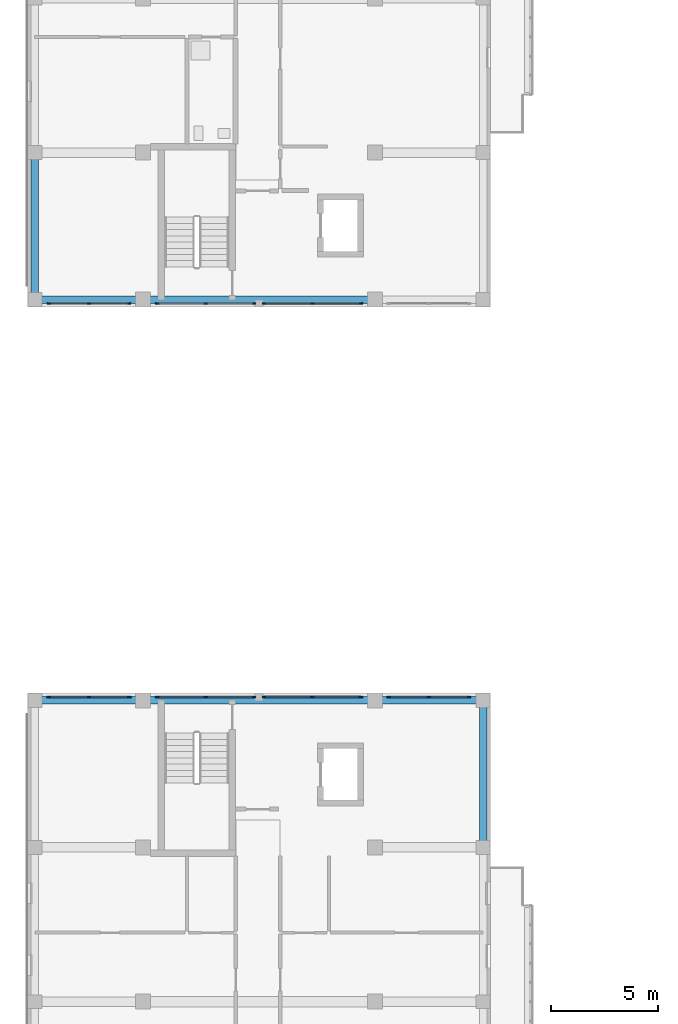
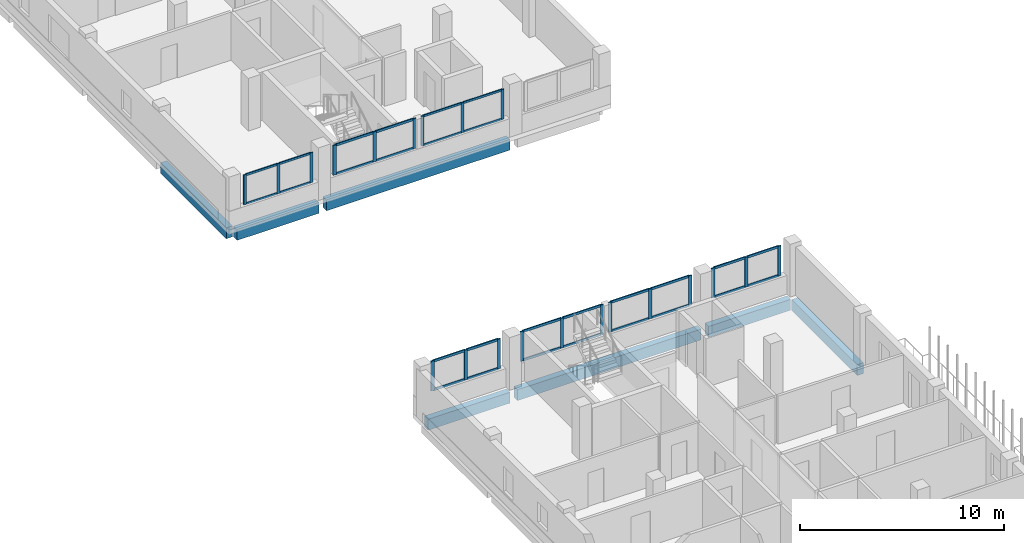
# One storey, part 7 of 51: 49 members, 7 beams, 7 elements without a shape of their own.
"""IFC4 building model written with IfcOpenShell, lengths in metres."""

from ifc_helpers import new_model, si_unit, derived_unit, direction, frame, origin, origin_2d, place, context, subcontext, project, spatial, rectangle, extrude, material, layer, layer_set, material_profile, profile_set, type_object, element, aggregate, save


model = new_model("IFC4")

# Units and contexts
model_context = context("Model", 3, precision=1e-05, world=origin(), true_north=direction((0.0, 1.0)))
body_context = subcontext(model_context, "Body", "Model", "MODEL_VIEW")
ifc_project = project(units=[si_unit("LENGTHUNIT", "METRE"), si_unit("AREAUNIT", "SQUARE_METRE"), si_unit("VOLUMEUNIT", "CUBIC_METRE"), si_unit("PLANEANGLEUNIT", "RADIAN"), si_unit("MASSUNIT", "GRAM", prefix="KILO"), derived_unit("THERMALTRANSMITTANCEUNIT", [(si_unit("MASSUNIT", "GRAM", prefix="KILO"), 1), (si_unit("TIMEUNIT", "SECOND"), -3), (si_unit("THERMODYNAMICTEMPERATUREUNIT", "KELVIN"), -1)])], contexts=[model_context])

# Site, building, storey
site_placement = place(None, origin())
site = spatial("IfcSite", under=ifc_project, at=site_placement, CompositionType="ELEMENT")
building_placement = place(site_placement, origin())
building = spatial("IfcBuilding", under=site, at=building_placement, Name="Ochrekiln Boulevard Commons", CompositionType="ELEMENT")
storey_placement = place(building_placement, frame((0.0, 0.0, 18.375)))
storey = spatial("IfcBuildingStorey", under=building, at=storey_placement, Name="L05", CompositionType="ELEMENT", Elevation=18.375)

# Curtain wall, members
ifc_material_1 = material(Name="Bronze-anodized extruded aluminium 6063-T6", Category="aluminium")
ifc_layer = layer(ifc_material_1, 0.172119140625)
ifc_layer_set = layer_set([ifc_layer], Name="Bronze-anodized extruded aluminium 6063-T6")
curtain_wall_type = type_object("IfcCurtainWallType", Name="CW-GABLE-A", PredefinedType="USERDEFINED", material=ifc_layer_set)
curtain_wall_1_placement = place(storey_placement, origin())
curtain_wall_1 = element("IfcCurtainWall", 1, at=curtain_wall_1_placement, inside=storey, type_object=curtain_wall_type, Name="Block A L05 Courtyard Glazed Gable Curtain Wall 1", ObjectType="GLAZED CURTAIN WALL", PredefinedType="USERDEFINED")
ifc_material_profile_1 = material_profile(ifc_material_1, rectangle(XDim=0.06005859375, YDim=0.159912109375, at=origin_2d()), Name="ALU-MUL-60x160")
ifc_profile_set_1 = profile_set([ifc_material_profile_1], Name="Bronze-anodized extruded aluminium 6063-T6")
member_type_1 = type_object("IfcMemberType", Name="CWM-60x160", PredefinedType="MULLION", material=ifc_profile_set_1)
member_1_placement = place(storey_placement, frame((1.0, 68.56005859375, 1.110107421875), z_axis=(0.0, 0.0, 1.0), x_axis=(0.0, 1.0, 0.0)))
member_1 = element("IfcMember", 2, at=member_1_placement, type_object=member_type_1, Name="CW-01 mullion 1", PredefinedType="MULLION", context=body_context, shape_type="SweptSolid", body=[
    extrude(rectangle(XDim=0.06005859375, YDim=0.159912109375, at=origin_2d()), origin(), (0.0, 0.0, 1.0), 1.77978515625),
])
member_2_placement = place(storey_placement, frame((2.875, 68.56005859375, 1.110107421875), z_axis=(0.0, 0.0, 1.0), x_axis=(0.0, 1.0, 0.0)))
member_2 = element("IfcMember", 3, at=member_2_placement, type_object=member_type_1, Name="CW-01 mullion 2", PredefinedType="MULLION", context=body_context, shape_type="SweptSolid", body=[
    extrude(rectangle(XDim=0.06005859375, YDim=0.159912109375, at=origin_2d()), origin(), (0.0, 0.0, 1.0), 1.77978515625),
])
member_3_placement = place(storey_placement, frame((4.75, 68.56005859375, 1.110107421875), z_axis=(0.0, 0.0, 1.0), x_axis=(0.0, 1.0, 0.0)))
member_3 = element("IfcMember", 4, at=member_3_placement, type_object=member_type_1, Name="CW-01 mullion 3", PredefinedType="MULLION", context=body_context, shape_type="SweptSolid", body=[
    extrude(rectangle(XDim=0.06005859375, YDim=0.159912109375, at=origin_2d()), origin(), (0.0, 0.0, 1.0), 1.77978515625),
])

curtain_wall_2_placement = place(storey_placement, origin())
curtain_wall_2 = element("IfcCurtainWall", 5, at=curtain_wall_2_placement, inside=storey, type_object=curtain_wall_type, Name="Block A L05 Courtyard Glazed Gable Curtain Wall 3", ObjectType="GLAZED CURTAIN WALL", PredefinedType="USERDEFINED")
member_4_placement = place(storey_placement, frame((11.030029296875, 68.56005859375, 1.110107421875), z_axis=(0.0, 0.0, 1.0), x_axis=(0.0, 1.0, 0.0)))
member_4 = element("IfcMember", 6, at=member_4_placement, type_object=member_type_1, Name="CW-01 mullion 1", PredefinedType="MULLION", context=body_context, shape_type="SweptSolid", body=[
    extrude(rectangle(XDim=0.06005859375, YDim=0.159912109375, at=origin_2d()), origin(), (0.0, 0.0, 1.0), 1.77978515625),
])
member_5_placement = place(storey_placement, frame((13.2900390625, 68.56005859375, 1.110107421875), z_axis=(0.0, 0.0, 1.0), x_axis=(0.0, 1.0, 0.0)))
member_5 = element("IfcMember", 7, at=member_5_placement, type_object=member_type_1, Name="CW-01 mullion 2", PredefinedType="MULLION", context=body_context, shape_type="SweptSolid", body=[
    extrude(rectangle(XDim=0.06005859375, YDim=0.159912109375, at=origin_2d()), origin(), (0.0, 0.0, 1.0), 1.77978515625),
])
member_6_placement = place(storey_placement, frame((15.550048828125, 68.56005859375, 1.110107421875), z_axis=(0.0, 0.0, 1.0), x_axis=(0.0, 1.0, 0.0)))
member_6 = element("IfcMember", 8, at=member_6_placement, type_object=member_type_1, Name="CW-01 mullion 3", PredefinedType="MULLION", context=body_context, shape_type="SweptSolid", body=[
    extrude(rectangle(XDim=0.06005859375, YDim=0.159912109375, at=origin_2d()), origin(), (0.0, 0.0, 1.0), 1.77978515625),
])

curtain_wall_3_placement = place(storey_placement, origin())
curtain_wall_3 = element("IfcCurtainWall", 9, at=curtain_wall_3_placement, inside=storey, type_object=curtain_wall_type, Name="Block A L05 Courtyard Glazed Gable Curtain Wall 2", ObjectType="GLAZED CURTAIN WALL", PredefinedType="USERDEFINED")
ifc_material_profile_2 = material_profile(ifc_material_1, rectangle(XDim=0.06494140625, YDim=0.179931640625, at=origin_2d()), Name="ALU-MUL-65x180")
ifc_profile_set_2 = profile_set([ifc_material_profile_2], Name="Bronze-anodized extruded aluminium 6063-T6")
member_type_2 = type_object("IfcMemberType", Name="CWM-65x180", PredefinedType="MULLION", material=ifc_profile_set_2)
member_7_placement = place(storey_placement, frame((6.052490234375, 68.56005859375, 1.110107421875), z_axis=(0.0, 0.0, 1.0), x_axis=(0.0, 1.0, 0.0)))
member_7 = element("IfcMember", 10, at=member_7_placement, type_object=member_type_2, Name="CW-01 mullion 1", PredefinedType="MULLION", context=body_context, shape_type="SweptSolid", body=[
    extrude(rectangle(XDim=0.06494140625, YDim=0.179931640625, at=origin_2d()), origin(), (0.0, 0.0, 1.0), 1.77978515625),
])
member_8_placement = place(storey_placement, frame((8.31005859375, 68.56005859375, 1.110107421875), z_axis=(0.0, 0.0, 1.0), x_axis=(0.0, 1.0, 0.0)))
member_8 = element("IfcMember", 11, at=member_8_placement, type_object=member_type_2, Name="CW-01 mullion 2", PredefinedType="MULLION", context=body_context, shape_type="SweptSolid", body=[
    extrude(rectangle(XDim=0.06494140625, YDim=0.179931640625, at=origin_2d()), origin(), (0.0, 0.0, 1.0), 1.77978515625),
])
member_9_placement = place(storey_placement, frame((10.5673828125, 68.56005859375, 1.110107421875), z_axis=(0.0, 0.0, 1.0), x_axis=(0.0, 1.0, 0.0)))
member_9 = element("IfcMember", 12, at=member_9_placement, type_object=member_type_2, Name="CW-01 mullion 3", PredefinedType="MULLION", context=body_context, shape_type="SweptSolid", body=[
    extrude(rectangle(XDim=0.06494140625, YDim=0.179931640625, at=origin_2d()), origin(), (0.0, 0.0, 1.0), 1.77978515625),
])

curtain_wall_4_placement = place(storey_placement, origin())
curtain_wall_4 = element("IfcCurtainWall", 13, at=curtain_wall_4_placement, inside=storey, type_object=curtain_wall_type, Name="Block D L05 Courtyard Glazed Gable Curtain Wall 1", ObjectType="GLAZED CURTAIN WALL", PredefinedType="USERDEFINED")
member_10_placement = place(storey_placement, frame((1.00244140625, 50.217529296875, 1.110107421875), z_axis=(0.0, 0.0, 1.0), x_axis=(0.0, 1.0, 0.0)))
member_10 = element("IfcMember", 14, at=member_10_placement, type_object=member_type_2, Name="CW-01 mullion 1", PredefinedType="MULLION", context=body_context, shape_type="SweptSolid", body=[
    extrude(rectangle(XDim=0.06494140625, YDim=0.179931640625, at=origin_2d()), origin(), (0.0, 0.0, 1.0), 1.77978515625),
])
member_11_placement = place(storey_placement, frame((2.875, 50.217529296875, 1.110107421875), z_axis=(0.0, 0.0, 1.0), x_axis=(0.0, 1.0, 0.0)))
member_11 = element("IfcMember", 15, at=member_11_placement, type_object=member_type_2, Name="CW-01 mullion 2", PredefinedType="MULLION", context=body_context, shape_type="SweptSolid", body=[
    extrude(rectangle(XDim=0.06494140625, YDim=0.179931640625, at=origin_2d()), origin(), (0.0, 0.0, 1.0), 1.77978515625),
])
member_12_placement = place(storey_placement, frame((4.74755859375, 50.217529296875, 1.110107421875), z_axis=(0.0, 0.0, 1.0), x_axis=(0.0, 1.0, 0.0)))
member_12 = element("IfcMember", 16, at=member_12_placement, type_object=member_type_2, Name="CW-01 mullion 3", PredefinedType="MULLION", context=body_context, shape_type="SweptSolid", body=[
    extrude(rectangle(XDim=0.06494140625, YDim=0.179931640625, at=origin_2d()), origin(), (0.0, 0.0, 1.0), 1.77978515625),
])

curtain_wall_5_placement = place(storey_placement, origin())
curtain_wall_5 = element("IfcCurtainWall", 17, at=curtain_wall_5_placement, inside=storey, type_object=curtain_wall_type, Name="Block D L05 Courtyard Glazed Gable Curtain Wall 2", ObjectType="GLAZED CURTAIN WALL", PredefinedType="USERDEFINED")
member_13_placement = place(storey_placement, frame((6.052490234375, 50.217529296875, 1.110107421875), z_axis=(0.0, 0.0, 1.0), x_axis=(0.0, 1.0, 0.0)))
member_13 = element("IfcMember", 18, at=member_13_placement, type_object=member_type_2, Name="CW-01 mullion 1", PredefinedType="MULLION", context=body_context, shape_type="SweptSolid", body=[
    extrude(rectangle(XDim=0.06494140625, YDim=0.179931640625, at=origin_2d()), origin(), (0.0, 0.0, 1.0), 1.77978515625),
])
member_14_placement = place(storey_placement, frame((8.31005859375, 50.217529296875, 1.110107421875), z_axis=(0.0, 0.0, 1.0), x_axis=(0.0, 1.0, 0.0)))
member_14 = element("IfcMember", 19, at=member_14_placement, type_object=member_type_2, Name="CW-01 mullion 2", PredefinedType="MULLION", context=body_context, shape_type="SweptSolid", body=[
    extrude(rectangle(XDim=0.06494140625, YDim=0.179931640625, at=origin_2d()), origin(), (0.0, 0.0, 1.0), 1.77978515625),
])
member_15_placement = place(storey_placement, frame((10.5673828125, 50.217529296875, 1.110107421875), z_axis=(0.0, 0.0, 1.0), x_axis=(0.0, 1.0, 0.0)))
member_15 = element("IfcMember", 20, at=member_15_placement, type_object=member_type_2, Name="CW-01 mullion 3", PredefinedType="MULLION", context=body_context, shape_type="SweptSolid", body=[
    extrude(rectangle(XDim=0.06494140625, YDim=0.179931640625, at=origin_2d()), origin(), (0.0, 0.0, 1.0), 1.77978515625),
])

curtain_wall_6_placement = place(storey_placement, origin())
curtain_wall_6 = element("IfcCurtainWall", 21, at=curtain_wall_6_placement, inside=storey, type_object=curtain_wall_type, Name="Block D L05 Courtyard Glazed Gable Curtain Wall 3", ObjectType="GLAZED CURTAIN WALL", PredefinedType="USERDEFINED")
member_16_placement = place(storey_placement, frame((11.032470703125, 50.217529296875, 1.110107421875), z_axis=(0.0, 0.0, 1.0), x_axis=(0.0, 1.0, 0.0)))
member_16 = element("IfcMember", 22, at=member_16_placement, type_object=member_type_2, Name="CW-01 mullion 1", PredefinedType="MULLION", context=body_context, shape_type="SweptSolid", body=[
    extrude(rectangle(XDim=0.06494140625, YDim=0.179931640625, at=origin_2d()), origin(), (0.0, 0.0, 1.0), 1.77978515625),
])
member_17_placement = place(storey_placement, frame((13.2900390625, 50.217529296875, 1.110107421875), z_axis=(0.0, 0.0, 1.0), x_axis=(0.0, 1.0, 0.0)))
member_17 = element("IfcMember", 23, at=member_17_placement, type_object=member_type_2, Name="CW-01 mullion 2", PredefinedType="MULLION", context=body_context, shape_type="SweptSolid", body=[
    extrude(rectangle(XDim=0.06494140625, YDim=0.179931640625, at=origin_2d()), origin(), (0.0, 0.0, 1.0), 1.77978515625),
])
member_18_placement = place(storey_placement, frame((15.547607421875, 50.217529296875, 1.110107421875), z_axis=(0.0, 0.0, 1.0), x_axis=(0.0, 1.0, 0.0)))
member_18 = element("IfcMember", 24, at=member_18_placement, type_object=member_type_2, Name="CW-01 mullion 3", PredefinedType="MULLION", context=body_context, shape_type="SweptSolid", body=[
    extrude(rectangle(XDim=0.06494140625, YDim=0.179931640625, at=origin_2d()), origin(), (0.0, 0.0, 1.0), 1.77978515625),
])

curtain_wall_7_placement = place(storey_placement, origin())
curtain_wall_7 = element("IfcCurtainWall", 25, at=curtain_wall_7_placement, inside=storey, type_object=curtain_wall_type, Name="Block D L05 Courtyard Glazed Gable Curtain Wall 4", ObjectType="GLAZED CURTAIN WALL", PredefinedType="USERDEFINED")
member_19_placement = place(storey_placement, frame((16.8525390625, 50.217529296875, 1.110107421875), z_axis=(0.0, 0.0, 1.0), x_axis=(0.0, 1.0, 0.0)))
member_19 = element("IfcMember", 26, at=member_19_placement, type_object=member_type_2, Name="CW-01 mullion 1", PredefinedType="MULLION", context=body_context, shape_type="SweptSolid", body=[
    extrude(rectangle(XDim=0.06494140625, YDim=0.179931640625, at=origin_2d()), origin(), (0.0, 0.0, 1.0), 1.77978515625),
])
member_20_placement = place(storey_placement, frame((18.72509765625, 50.217529296875, 1.110107421875), z_axis=(0.0, 0.0, 1.0), x_axis=(0.0, 1.0, 0.0)))
member_20 = element("IfcMember", 27, at=member_20_placement, type_object=member_type_2, Name="CW-01 mullion 2", PredefinedType="MULLION", context=body_context, shape_type="SweptSolid", body=[
    extrude(rectangle(XDim=0.06494140625, YDim=0.179931640625, at=origin_2d()), origin(), (0.0, 0.0, 1.0), 1.77978515625),
])
member_21_placement = place(storey_placement, frame((20.597412109375, 50.217529296875, 1.110107421875), z_axis=(0.0, 0.0, 1.0), x_axis=(0.0, 1.0, 0.0)))
member_21 = element("IfcMember", 28, at=member_21_placement, type_object=member_type_2, Name="CW-01 mullion 3", PredefinedType="MULLION", context=body_context, shape_type="SweptSolid", body=[
    extrude(rectangle(XDim=0.06494140625, YDim=0.179931640625, at=origin_2d()), origin(), (0.0, 0.0, 1.0), 1.77978515625),
])

# Member
ifc_material_profile_3 = material_profile(ifc_material_1, rectangle(XDim=0.06005859375, YDim=0.1201171875, at=origin_2d()), Name="ALU-TRN-60x120")
ifc_profile_set_3 = profile_set([ifc_material_profile_3], Name="Bronze-anodized extruded aluminium 6063-T6")
member_type_3 = type_object("IfcMemberType", Name="CWT-60x120", PredefinedType="USERDEFINED", material=ifc_profile_set_3)
member_22_placement = place(storey_placement, frame((1.030029296875, 68.56005859375, 1.139892578125), z_axis=(1.0, 0.0, 0.0), x_axis=(0.0, 1.0, 0.0)))
member_22 = element("IfcMember", 29, at=member_22_placement, type_object=member_type_3, Name="CW-01 transom 1.1", ObjectType="TRANSOM", PredefinedType="USERDEFINED", context=body_context, shape_type="SweptSolid", body=[
    extrude(rectangle(XDim=0.06005859375, YDim=0.1201171875, at=origin_2d()), origin(), (0.0, 0.0, 1.0), 1.81494140625),
])

member_23_placement = place(storey_placement, frame((1.030029296875, 68.56005859375, 2.860107421875), z_axis=(1.0, 0.0, 0.0), x_axis=(0.0, 1.0, 0.0)))
member_23 = element("IfcMember", 30, at=member_23_placement, type_object=member_type_3, Name="CW-01 transom 1.2", ObjectType="TRANSOM", PredefinedType="USERDEFINED", context=body_context, shape_type="SweptSolid", body=[
    extrude(rectangle(XDim=0.06005859375, YDim=0.1201171875, at=origin_2d()), origin(), (0.0, 0.0, 1.0), 1.81494140625),
])

member_24_placement = place(storey_placement, frame((2.905029296875, 68.56005859375, 1.139892578125), z_axis=(1.0, 0.0, 0.0), x_axis=(0.0, 1.0, 0.0)))
member_24 = element("IfcMember", 31, at=member_24_placement, type_object=member_type_3, Name="CW-01 transom 2.1", ObjectType="TRANSOM", PredefinedType="USERDEFINED", context=body_context, shape_type="SweptSolid", body=[
    extrude(rectangle(XDim=0.06005859375, YDim=0.1201171875, at=origin_2d()), origin(), (0.0, 0.0, 1.0), 1.81494140625),
])

member_25_placement = place(storey_placement, frame((2.905029296875, 68.56005859375, 2.860107421875), z_axis=(1.0, 0.0, 0.0), x_axis=(0.0, 1.0, 0.0)))
member_25 = element("IfcMember", 32, at=member_25_placement, type_object=member_type_3, Name="CW-01 transom 2.2", ObjectType="TRANSOM", PredefinedType="USERDEFINED", context=body_context, shape_type="SweptSolid", body=[
    extrude(rectangle(XDim=0.06005859375, YDim=0.1201171875, at=origin_2d()), origin(), (0.0, 0.0, 1.0), 1.81494140625),
])

aggregate(curtain_wall_1, [member_1, member_2, member_3, member_22, member_23, member_24, member_25])

member_26_placement = place(storey_placement, frame((11.06005859375, 68.56005859375, 1.139892578125), z_axis=(1.0, 0.0, 0.0), x_axis=(0.0, 1.0, 0.0)))
member_26 = element("IfcMember", 33, at=member_26_placement, type_object=member_type_3, Name="CW-01 transom 1.1", ObjectType="TRANSOM", PredefinedType="USERDEFINED", context=body_context, shape_type="SweptSolid", body=[
    extrude(rectangle(XDim=0.06005859375, YDim=0.1201171875, at=origin_2d()), origin(), (0.0, 0.0, 1.0), 2.199951171875),
])

member_27_placement = place(storey_placement, frame((11.06005859375, 68.56005859375, 2.860107421875), z_axis=(1.0, 0.0, 0.0), x_axis=(0.0, 1.0, 0.0)))
member_27 = element("IfcMember", 34, at=member_27_placement, type_object=member_type_3, Name="CW-01 transom 1.2", ObjectType="TRANSOM", PredefinedType="USERDEFINED", context=body_context, shape_type="SweptSolid", body=[
    extrude(rectangle(XDim=0.06005859375, YDim=0.1201171875, at=origin_2d()), origin(), (0.0, 0.0, 1.0), 2.199951171875),
])

member_28_placement = place(storey_placement, frame((13.320068359375, 68.56005859375, 1.139892578125), z_axis=(1.0, 0.0, 0.0), x_axis=(0.0, 1.0, 0.0)))
member_28 = element("IfcMember", 35, at=member_28_placement, type_object=member_type_3, Name="CW-01 transom 2.1", ObjectType="TRANSOM", PredefinedType="USERDEFINED", context=body_context, shape_type="SweptSolid", body=[
    extrude(rectangle(XDim=0.06005859375, YDim=0.1201171875, at=origin_2d()), origin(), (0.0, 0.0, 1.0), 2.199951171875),
])

member_29_placement = place(storey_placement, frame((13.320068359375, 68.56005859375, 2.860107421875), z_axis=(1.0, 0.0, 0.0), x_axis=(0.0, 1.0, 0.0)))
member_29 = element("IfcMember", 36, at=member_29_placement, type_object=member_type_3, Name="CW-01 transom 2.2", ObjectType="TRANSOM", PredefinedType="USERDEFINED", context=body_context, shape_type="SweptSolid", body=[
    extrude(rectangle(XDim=0.06005859375, YDim=0.1201171875, at=origin_2d()), origin(), (0.0, 0.0, 1.0), 2.199951171875),
])

aggregate(curtain_wall_2, [member_4, member_5, member_6, member_26, member_27, member_28, member_29])

ifc_material_profile_4 = material_profile(ifc_material_1, rectangle(XDim=0.06494140625, YDim=0.139892578125, at=origin_2d()), Name="ALU-TRN-65x140")
ifc_profile_set_4 = profile_set([ifc_material_profile_4], Name="Bronze-anodized extruded aluminium 6063-T6")
member_type_4 = type_object("IfcMemberType", Name="CWT-65x140", PredefinedType="USERDEFINED", material=ifc_profile_set_4)
member_30_placement = place(storey_placement, frame((6.0849609375, 68.56005859375, 1.142578125), z_axis=(1.0, 0.0, 0.0), x_axis=(0.0, 1.0, 0.0)))
member_30 = element("IfcMember", 37, at=member_30_placement, type_object=member_type_4, Name="CW-01 transom 1.1", ObjectType="TRANSOM", PredefinedType="USERDEFINED", context=body_context, shape_type="SweptSolid", body=[
    extrude(rectangle(XDim=0.06494140625, YDim=0.139892578125, at=origin_2d()), origin(), (0.0, 0.0, 1.0), 2.192626953125),
])

member_31_placement = place(storey_placement, frame((6.0849609375, 68.56005859375, 2.857421875), z_axis=(1.0, 0.0, 0.0), x_axis=(0.0, 1.0, 0.0)))
member_31 = element("IfcMember", 38, at=member_31_placement, type_object=member_type_4, Name="CW-01 transom 1.2", ObjectType="TRANSOM", PredefinedType="USERDEFINED", context=body_context, shape_type="SweptSolid", body=[
    extrude(rectangle(XDim=0.06494140625, YDim=0.139892578125, at=origin_2d()), origin(), (0.0, 0.0, 1.0), 2.192626953125),
])

member_32_placement = place(storey_placement, frame((8.342529296875, 68.56005859375, 1.142578125), z_axis=(1.0, 0.0, 0.0), x_axis=(0.0, 1.0, 0.0)))
member_32 = element("IfcMember", 39, at=member_32_placement, type_object=member_type_4, Name="CW-01 transom 2.1", ObjectType="TRANSOM", PredefinedType="USERDEFINED", context=body_context, shape_type="SweptSolid", body=[
    extrude(rectangle(XDim=0.06494140625, YDim=0.139892578125, at=origin_2d()), origin(), (0.0, 0.0, 1.0), 2.1923828125),
])

member_33_placement = place(storey_placement, frame((8.342529296875, 68.56005859375, 2.857421875), z_axis=(1.0, 0.0, 0.0), x_axis=(0.0, 1.0, 0.0)))
member_33 = element("IfcMember", 40, at=member_33_placement, type_object=member_type_4, Name="CW-01 transom 2.2", ObjectType="TRANSOM", PredefinedType="USERDEFINED", context=body_context, shape_type="SweptSolid", body=[
    extrude(rectangle(XDim=0.06494140625, YDim=0.139892578125, at=origin_2d()), origin(), (0.0, 0.0, 1.0), 2.1923828125),
])

aggregate(curtain_wall_3, [member_7, member_8, member_9, member_30, member_31, member_32, member_33])

member_34_placement = place(storey_placement, frame((1.034912109375, 50.217529296875, 1.142578125), z_axis=(1.0, 0.0, 0.0), x_axis=(0.0, 1.0, 0.0)))
member_34 = element("IfcMember", 41, at=member_34_placement, type_object=member_type_4, Name="CW-01 transom 1.1", ObjectType="TRANSOM", PredefinedType="USERDEFINED", context=body_context, shape_type="SweptSolid", body=[
    extrude(rectangle(XDim=0.06494140625, YDim=0.139892578125, at=origin_2d()), origin(), (0.0, 0.0, 1.0), 1.8076171875),
])

member_35_placement = place(storey_placement, frame((1.034912109375, 50.217529296875, 2.857421875), z_axis=(1.0, 0.0, 0.0), x_axis=(0.0, 1.0, 0.0)))
member_35 = element("IfcMember", 42, at=member_35_placement, type_object=member_type_4, Name="CW-01 transom 1.2", ObjectType="TRANSOM", PredefinedType="USERDEFINED", context=body_context, shape_type="SweptSolid", body=[
    extrude(rectangle(XDim=0.06494140625, YDim=0.139892578125, at=origin_2d()), origin(), (0.0, 0.0, 1.0), 1.8076171875),
])

member_36_placement = place(storey_placement, frame((2.907470703125, 50.217529296875, 1.142578125), z_axis=(1.0, 0.0, 0.0), x_axis=(0.0, 1.0, 0.0)))
member_36 = element("IfcMember", 43, at=member_36_placement, type_object=member_type_4, Name="CW-01 transom 2.1", ObjectType="TRANSOM", PredefinedType="USERDEFINED", context=body_context, shape_type="SweptSolid", body=[
    extrude(rectangle(XDim=0.06494140625, YDim=0.139892578125, at=origin_2d()), origin(), (0.0, 0.0, 1.0), 1.8076171875),
])

member_37_placement = place(storey_placement, frame((2.907470703125, 50.217529296875, 2.857421875), z_axis=(1.0, 0.0, 0.0), x_axis=(0.0, 1.0, 0.0)))
member_37 = element("IfcMember", 44, at=member_37_placement, type_object=member_type_4, Name="CW-01 transom 2.2", ObjectType="TRANSOM", PredefinedType="USERDEFINED", context=body_context, shape_type="SweptSolid", body=[
    extrude(rectangle(XDim=0.06494140625, YDim=0.139892578125, at=origin_2d()), origin(), (0.0, 0.0, 1.0), 1.8076171875),
])

aggregate(curtain_wall_4, [member_10, member_11, member_12, member_34, member_35, member_36, member_37])

member_38_placement = place(storey_placement, frame((6.0849609375, 50.217529296875, 1.142578125), z_axis=(1.0, 0.0, 0.0), x_axis=(0.0, 1.0, 0.0)))
member_38 = element("IfcMember", 45, at=member_38_placement, type_object=member_type_4, Name="CW-01 transom 1.1", ObjectType="TRANSOM", PredefinedType="USERDEFINED", context=body_context, shape_type="SweptSolid", body=[
    extrude(rectangle(XDim=0.06494140625, YDim=0.139892578125, at=origin_2d()), origin(), (0.0, 0.0, 1.0), 2.192626953125),
])

member_39_placement = place(storey_placement, frame((6.0849609375, 50.217529296875, 2.857421875), z_axis=(1.0, 0.0, 0.0), x_axis=(0.0, 1.0, 0.0)))
member_39 = element("IfcMember", 46, at=member_39_placement, type_object=member_type_4, Name="CW-01 transom 1.2", ObjectType="TRANSOM", PredefinedType="USERDEFINED", context=body_context, shape_type="SweptSolid", body=[
    extrude(rectangle(XDim=0.06494140625, YDim=0.139892578125, at=origin_2d()), origin(), (0.0, 0.0, 1.0), 2.192626953125),
])

member_40_placement = place(storey_placement, frame((8.342529296875, 50.217529296875, 1.142578125), z_axis=(1.0, 0.0, 0.0), x_axis=(0.0, 1.0, 0.0)))
member_40 = element("IfcMember", 47, at=member_40_placement, type_object=member_type_4, Name="CW-01 transom 2.1", ObjectType="TRANSOM", PredefinedType="USERDEFINED", context=body_context, shape_type="SweptSolid", body=[
    extrude(rectangle(XDim=0.06494140625, YDim=0.139892578125, at=origin_2d()), origin(), (0.0, 0.0, 1.0), 2.1923828125),
])

member_41_placement = place(storey_placement, frame((8.342529296875, 50.217529296875, 2.857421875), z_axis=(1.0, 0.0, 0.0), x_axis=(0.0, 1.0, 0.0)))
member_41 = element("IfcMember", 48, at=member_41_placement, type_object=member_type_4, Name="CW-01 transom 2.2", ObjectType="TRANSOM", PredefinedType="USERDEFINED", context=body_context, shape_type="SweptSolid", body=[
    extrude(rectangle(XDim=0.06494140625, YDim=0.139892578125, at=origin_2d()), origin(), (0.0, 0.0, 1.0), 2.1923828125),
])

aggregate(curtain_wall_5, [member_13, member_14, member_15, member_38, member_39, member_40, member_41])

member_42_placement = place(storey_placement, frame((11.06494140625, 50.217529296875, 1.142578125), z_axis=(1.0, 0.0, 0.0), x_axis=(0.0, 1.0, 0.0)))
member_42 = element("IfcMember", 49, at=member_42_placement, type_object=member_type_4, Name="CW-01 transom 1.1", ObjectType="TRANSOM", PredefinedType="USERDEFINED", context=body_context, shape_type="SweptSolid", body=[
    extrude(rectangle(XDim=0.06494140625, YDim=0.139892578125, at=origin_2d()), origin(), (0.0, 0.0, 1.0), 2.192626953125),
])

member_43_placement = place(storey_placement, frame((11.06494140625, 50.217529296875, 2.857421875), z_axis=(1.0, 0.0, 0.0), x_axis=(0.0, 1.0, 0.0)))
member_43 = element("IfcMember", 50, at=member_43_placement, type_object=member_type_4, Name="CW-01 transom 1.2", ObjectType="TRANSOM", PredefinedType="USERDEFINED", context=body_context, shape_type="SweptSolid", body=[
    extrude(rectangle(XDim=0.06494140625, YDim=0.139892578125, at=origin_2d()), origin(), (0.0, 0.0, 1.0), 2.192626953125),
])

member_44_placement = place(storey_placement, frame((13.322509765625, 50.217529296875, 1.142578125), z_axis=(1.0, 0.0, 0.0), x_axis=(0.0, 1.0, 0.0)))
member_44 = element("IfcMember", 51, at=member_44_placement, type_object=member_type_4, Name="CW-01 transom 2.1", ObjectType="TRANSOM", PredefinedType="USERDEFINED", context=body_context, shape_type="SweptSolid", body=[
    extrude(rectangle(XDim=0.06494140625, YDim=0.139892578125, at=origin_2d()), origin(), (0.0, 0.0, 1.0), 2.1923828125),
])

member_45_placement = place(storey_placement, frame((13.322509765625, 50.217529296875, 2.857421875), z_axis=(1.0, 0.0, 0.0), x_axis=(0.0, 1.0, 0.0)))
member_45 = element("IfcMember", 52, at=member_45_placement, type_object=member_type_4, Name="CW-01 transom 2.2", ObjectType="TRANSOM", PredefinedType="USERDEFINED", context=body_context, shape_type="SweptSolid", body=[
    extrude(rectangle(XDim=0.06494140625, YDim=0.139892578125, at=origin_2d()), origin(), (0.0, 0.0, 1.0), 2.1923828125),
])

aggregate(curtain_wall_6, [member_16, member_17, member_18, member_42, member_43, member_44, member_45])

member_46_placement = place(storey_placement, frame((16.885009765625, 50.217529296875, 1.142578125), z_axis=(1.0, 0.0, 0.0), x_axis=(0.0, 1.0, 0.0)))
member_46 = element("IfcMember", 53, at=member_46_placement, type_object=member_type_4, Name="CW-01 transom 1.1", ObjectType="TRANSOM", PredefinedType="USERDEFINED", context=body_context, shape_type="SweptSolid", body=[
    extrude(rectangle(XDim=0.06494140625, YDim=0.139892578125, at=origin_2d()), origin(), (0.0, 0.0, 1.0), 1.807373046875),
])

member_47_placement = place(storey_placement, frame((16.885009765625, 50.217529296875, 2.857421875), z_axis=(1.0, 0.0, 0.0), x_axis=(0.0, 1.0, 0.0)))
member_47 = element("IfcMember", 54, at=member_47_placement, type_object=member_type_4, Name="CW-01 transom 1.2", ObjectType="TRANSOM", PredefinedType="USERDEFINED", context=body_context, shape_type="SweptSolid", body=[
    extrude(rectangle(XDim=0.06494140625, YDim=0.139892578125, at=origin_2d()), origin(), (0.0, 0.0, 1.0), 1.807373046875),
])

member_48_placement = place(storey_placement, frame((18.757568359375, 50.217529296875, 1.142578125), z_axis=(1.0, 0.0, 0.0), x_axis=(0.0, 1.0, 0.0)))
member_48 = element("IfcMember", 55, at=member_48_placement, type_object=member_type_4, Name="CW-01 transom 2.1", ObjectType="TRANSOM", PredefinedType="USERDEFINED", context=body_context, shape_type="SweptSolid", body=[
    extrude(rectangle(XDim=0.06494140625, YDim=0.139892578125, at=origin_2d()), origin(), (0.0, 0.0, 1.0), 1.807373046875),
])

member_49_placement = place(storey_placement, frame((18.757568359375, 50.217529296875, 2.857421875), z_axis=(1.0, 0.0, 0.0), x_axis=(0.0, 1.0, 0.0)))
member_49 = element("IfcMember", 56, at=member_49_placement, type_object=member_type_4, Name="CW-01 transom 2.2", ObjectType="TRANSOM", PredefinedType="USERDEFINED", context=body_context, shape_type="SweptSolid", body=[
    extrude(rectangle(XDim=0.06494140625, YDim=0.139892578125, at=origin_2d()), origin(), (0.0, 0.0, 1.0), 1.807373046875),
])

aggregate(curtain_wall_7, [member_19, member_20, member_21, member_46, member_47, member_48, member_49])

# Beams
ifc_material_2 = material(Name="Concrete C40/50", Category="concrete")
ifc_material_profile_5 = material_profile(ifc_material_2, rectangle(XDim=0.35009765625, YDim=0.64990234375, at=origin_2d()), Name="RC-SPN-350x650")
ifc_profile_set_5 = profile_set([ifc_material_profile_5], Name="Concrete C40/50")
beam_type = type_object("IfcBeamType", Name="SPN-RC-350x650", PredefinedType="SPANDREL", material=ifc_profile_set_5)
beam_1_placement = place(storey_placement, frame((0.56005859375, 68.75, -0.5849609375), z_axis=(1.0, 0.0, 0.0), x_axis=(0.0, 1.0, 0.0)))
element("IfcBeam", 57, at=beam_1_placement, inside=storey, type_object=beam_type, Name="Block A L05 Beam SP-3565 X1", PredefinedType="SPANDREL", context=body_context, shape_type="SweptSolid", body=[
    extrude(rectangle(XDim=0.35009765625, YDim=0.64990234375, at=origin_2d()), origin(), (0.0, 0.0, 1.0), 4.6298828125),
])
beam_2_placement = place(storey_placement, frame((5.610107421875, 68.75, -0.5849609375), z_axis=(1.0, 0.0, 0.0), x_axis=(0.0, 1.0, 0.0)))
element("IfcBeam", 58, at=beam_2_placement, inside=storey, type_object=beam_type, Name="Block A L05 Beam SP-3565 X2", PredefinedType="SPANDREL", context=body_context, shape_type="SweptSolid", body=[
    extrude(rectangle(XDim=0.35009765625, YDim=0.64990234375, at=origin_2d()), origin(), (0.0, 0.0, 1.0), 10.3798828125),
])
beam_3_placement = place(storey_placement, frame((0.35009765625, 68.9599609375, -0.5849609375), z_axis=(0.0, 1.0, 0.0), x_axis=(-1.0, 0.0, 0.0)))
element("IfcBeam", 59, at=beam_3_placement, inside=storey, type_object=beam_type, Name="Block A L05 Beam SP-3565 Y23", PredefinedType="SPANDREL", context=body_context, shape_type="SweptSolid", body=[
    extrude(rectangle(XDim=0.35009765625, YDim=0.64990234375, at=origin_2d()), origin(), (0.0, 0.0, 1.0), 6.429931640625),
])
beam_4_placement = place(storey_placement, frame((0.56005859375, 50.050048828125, -0.5849609375), z_axis=(1.0, 0.0, 0.0), x_axis=(0.0, 1.0, 0.0)))
element("IfcBeam", 60, at=beam_4_placement, inside=storey, type_object=beam_type, Name="Block D L05 Beam SP-3565 X20", PredefinedType="SPANDREL", context=body_context, shape_type="SweptSolid", body=[
    extrude(rectangle(XDim=0.35009765625, YDim=0.64990234375, at=origin_2d()), origin(), (0.0, 0.0, 1.0), 4.6298828125),
])
beam_5_placement = place(storey_placement, frame((5.610107421875, 50.050048828125, -0.5849609375), z_axis=(1.0, 0.0, 0.0), x_axis=(0.0, 1.0, 0.0)))
element("IfcBeam", 61, at=beam_5_placement, inside=storey, type_object=beam_type, Name="Block D L05 Beam SP-3565 X21", PredefinedType="SPANDREL", context=body_context, shape_type="SweptSolid", body=[
    extrude(rectangle(XDim=0.35009765625, YDim=0.64990234375, at=origin_2d()), origin(), (0.0, 0.0, 1.0), 10.3798828125),
])
beam_6_placement = place(storey_placement, frame((16.409912109375, 50.050048828125, -0.5849609375), z_axis=(1.0, 0.0, 0.0), x_axis=(0.0, 1.0, 0.0)))
element("IfcBeam", 62, at=beam_6_placement, inside=storey, type_object=beam_type, Name="Block D L05 Beam SP-3565 X22", PredefinedType="SPANDREL", context=body_context, shape_type="SweptSolid", body=[
    extrude(rectangle(XDim=0.35009765625, YDim=0.64990234375, at=origin_2d()), origin(), (0.0, 0.0, 1.0), 4.630126953125),
])
beam_7_placement = place(storey_placement, frame((21.25, 43.409912109375, -0.5849609375), z_axis=(0.0, 1.0, 0.0), x_axis=(-1.0, 0.0, 0.0)))
element("IfcBeam", 63, at=beam_7_placement, inside=storey, type_object=beam_type, Name="Block D L05 Beam SP-3565 Y36", PredefinedType="SPANDREL", context=body_context, shape_type="SweptSolid", body=[
    extrude(rectangle(XDim=0.35009765625, YDim=0.64990234375, at=origin_2d()), origin(), (0.0, 0.0, 1.0), 6.43017578125),
])

save(model, "model.ifc")
